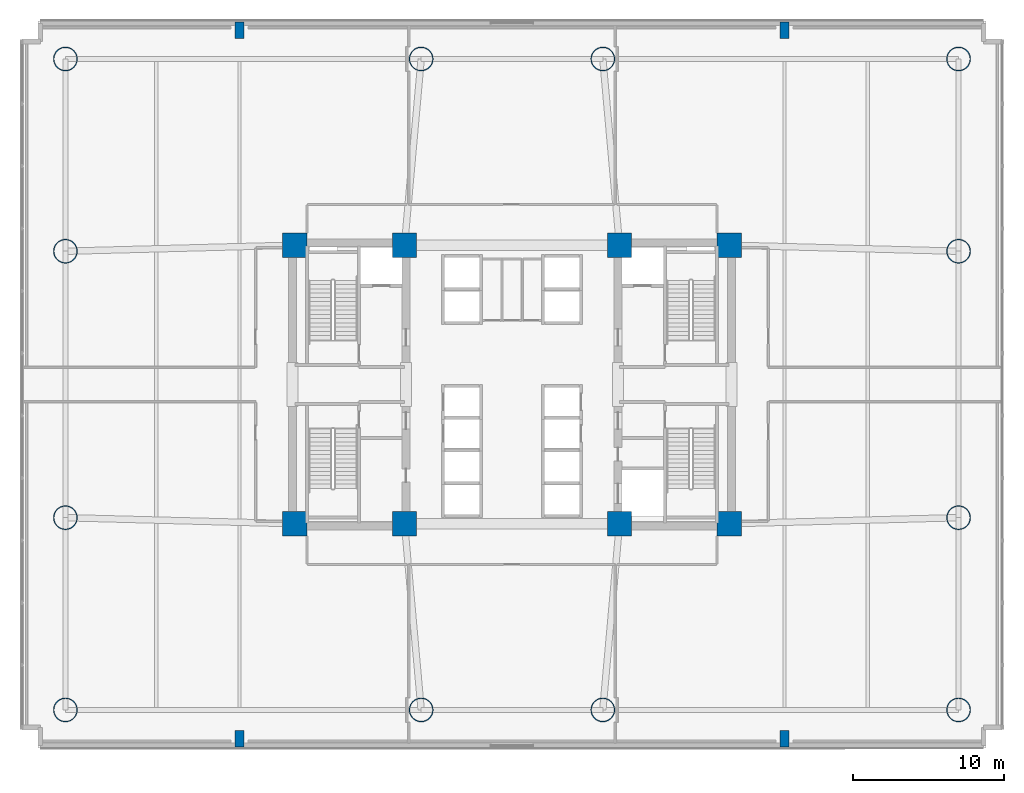
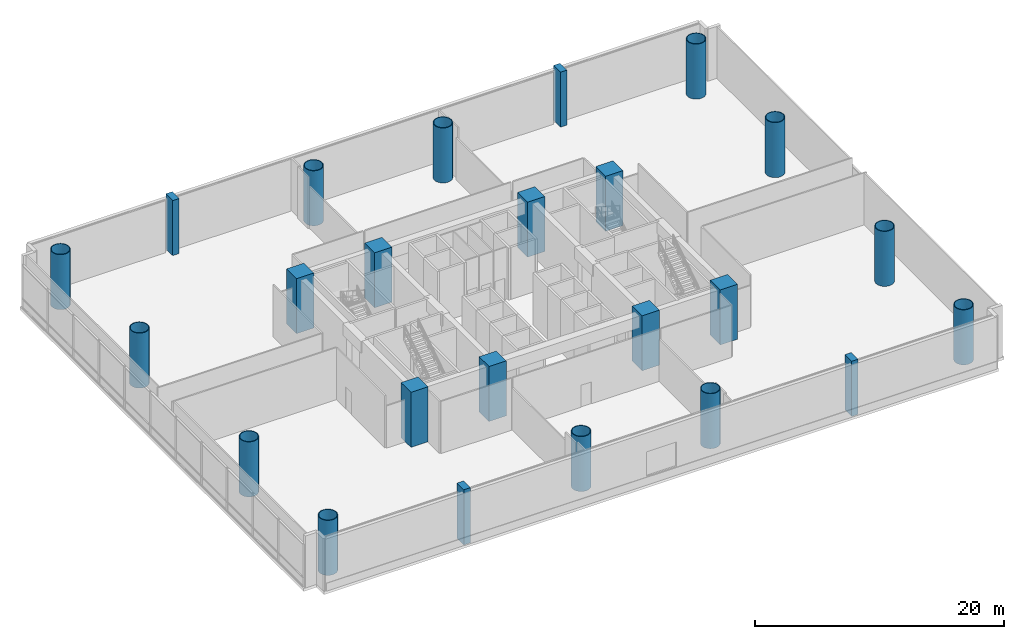
# One storey, part 1 of 15: 24 columns.
"""IFC4 building model written with IfcOpenShell, lengths in metres."""

from ifc_helpers import new_model, si_unit, direction, frame, origin, origin_2d, place, context, subcontext, project, spatial, rectangle, hollow_circle, extrude, source, transform, mapped, material, material_profile, profile_set, type_object, element, save


model = new_model("IFC4")

# Units and contexts
model_context = context("Model", 3, precision=1e-05, world=origin(), true_north=direction((0.0, 1.0)))
body_context = subcontext(model_context, "Body", "Model", "MODEL_VIEW")
ifc_project = project(units=[si_unit("LENGTHUNIT", "METRE"), si_unit("AREAUNIT", "SQUARE_METRE"), si_unit("VOLUMEUNIT", "CUBIC_METRE"), si_unit("PLANEANGLEUNIT", "RADIAN"), si_unit("MASSUNIT", "GRAM", prefix="KILO")], contexts=[model_context])

# Site, building, storey
site_placement = place(None, origin())
site = spatial("IfcSite", under=ifc_project, at=site_placement, CompositionType="ELEMENT")
building_placement = place(site_placement, origin())
building = spatial("IfcBuilding", under=site, at=building_placement, Name="Zahravan Cultural Tower", CompositionType="ELEMENT")
storey_placement = place(building_placement, frame((0.0, 0.0, 7.199951171875)))
storey = spatial("IfcBuildingStorey", under=building, at=storey_placement, Name="L01", CompositionType="ELEMENT", Elevation=7.199951171875)

# Columns
ifc_material_1 = material(Name="Concrete C60/75", Category="concrete")
ifc_material_profile_1 = material_profile(ifc_material_1, rectangle(XDim=1.60009765625, YDim=1.60009765625, at=origin_2d()), Name="RC1600X1600")
ifc_profile_set_1 = profile_set([ifc_material_profile_1], Name="Concrete C60/75")
column_type_1 = type_object("IfcColumnType", Name="COL-RC1600", PredefinedType="COLUMN", material=ifc_profile_set_1)
shared_shape_1 = source(origin(), body_context, "Body", "SweptSolid", [
    extrude(rectangle(XDim=1.60009765625, YDim=1.60009765625, at=origin_2d()), origin(), (0.0, 0.0, 1.0), 5.400146484375),
])
for number, where, z_axis, x_axis, name in (
    (1, (21.64990234375, 17.800048828125, 0.0), (0.0, 0.0, 1.0), (1.0, 0.0, 0.0), "L01 Column CC-W1"),
    (2, (28.89990234375, 17.800048828125, 0.0), (0.0, 0.0, 1.0), (1.0, 0.0, 0.0), "L01 Column CC-W2"),
    (3, (21.64990234375, 36.199951171875, 0.0), (0.0, 0.0, 1.0), (1.0, 0.0, 0.0), "L01 Column CC-W3"),
    (4, (28.89990234375, 36.199951171875, 0.0), (0.0, 0.0, 1.0), (1.0, 0.0, 0.0), "L01 Column CC-W4"),
    (5, (43.10009765625, 17.800048828125, 0.0), (0.0, 0.0, 1.0), (1.0, 0.0, 0.0), "L01 Column CC-E1"),
    (6, (50.35009765625, 17.800048828125, 0.0), (0.0, 0.0, 1.0), (1.0, 0.0, 0.0), "L01 Column CC-E2"),
    (7, (43.10009765625, 36.199951171875, 0.0), (0.0, 0.0, 1.0), (1.0, 0.0, 0.0), "L01 Column CC-E3"),
    (8, (50.35009765625, 36.199951171875, 0.0), (0.0, 0.0, 1.0), (1.0, 0.0, 0.0), "L01 Column CC-E4"),
):
    element("IfcColumn", number, at=place(storey_placement, frame(where, z_axis=z_axis, x_axis=x_axis)), inside=storey, type_object=column_type_1, Name=name, PredefinedType="COLUMN", context=body_context, shape_type="MappedRepresentation", body=[
        mapped(shared_shape_1, transform((0.0, 0.0, 0.0), x_axis=(1.0, 0.0, 0.0), y_axis=(0.0, 1.0, 0.0), z_axis=(0.0, 0.0, 1.0), scale=1.0)),
    ])
ifc_material_2 = material(Name="Steel ASTM A572 Grade 50", Category="steel")
ifc_material_profile_2 = material_profile(ifc_material_2, hollow_circle(Radius=0.800048828125, WallThickness=0.06005859375, at=origin_2d()), Name="CHS1600X60")
ifc_profile_set_2 = profile_set([ifc_material_profile_2], Name="Steel ASTM A572 Grade 50")
column_type_2 = type_object("IfcColumnType", Name="COL-STILT-1600", PredefinedType="COLUMN", material=ifc_profile_set_2)
shared_shape_2 = source(origin(), body_context, "Body", "SweptSolid", [
    extrude(hollow_circle(Radius=0.800048828125, WallThickness=0.06005859375, at=origin_2d()), origin(), (0.0, 0.0, 1.0), 5.400146484375),
])
for number, where, z_axis, x_axis, name in (
    (9, (6.5, 5.5, 0.0), (0.0, 0.0, 1.0), (1.0, 0.0, 0.0), "L01 Column PC-01"),
    (10, (30.0, 5.5, 0.0), (0.0, 0.0, 1.0), (1.0, 0.0, 0.0), "L01 Column PC-02"),
    (11, (42.0, 5.5, 0.0), (0.0, 0.0, 1.0), (1.0, 0.0, 0.0), "L01 Column PC-03"),
    (12, (65.5, 5.5, 0.0), (0.0, 0.0, 1.0), (1.0, 0.0, 0.0), "L01 Column PC-04"),
    (13, (6.5, 18.199951171875, 0.0), (0.0, 0.0, 1.0), (1.0, 0.0, 0.0), "L01 Column PC-05"),
    (14, (65.5, 18.199951171875, 0.0), (0.0, 0.0, 1.0), (1.0, 0.0, 0.0), "L01 Column PC-06"),
    (15, (6.5, 35.800048828125, 0.0), (0.0, 0.0, 1.0), (1.0, 0.0, 0.0), "L01 Column PC-07"),
    (16, (65.5, 35.800048828125, 0.0), (0.0, 0.0, 1.0), (1.0, 0.0, 0.0), "L01 Column PC-08"),
    (17, (6.5, 48.5, 0.0), (0.0, 0.0, 1.0), (1.0, 0.0, 0.0), "L01 Column PC-09"),
    (18, (30.0, 48.5, 0.0), (0.0, 0.0, 1.0), (1.0, 0.0, 0.0), "L01 Column PC-10"),
    (19, (42.0, 48.5, 0.0), (0.0, 0.0, 1.0), (1.0, 0.0, 0.0), "L01 Column PC-11"),
    (20, (65.5, 48.5, 0.0), (0.0, 0.0, 1.0), (1.0, 0.0, 0.0), "L01 Column PC-12"),
):
    element("IfcColumn", number, at=place(storey_placement, frame(where, z_axis=z_axis, x_axis=x_axis)), inside=storey, type_object=column_type_2, Name=name, PredefinedType="COLUMN", context=body_context, shape_type="MappedRepresentation", body=[
        mapped(shared_shape_2, transform((0.0, 0.0, 0.0), x_axis=(1.0, 0.0, 0.0), y_axis=(0.0, 1.0, 0.0), z_axis=(0.0, 0.0, 1.0), scale=1.0)),
    ])
ifc_material_3 = material(Name="Concrete C50/60", Category="concrete")
ifc_material_profile_3 = material_profile(ifc_material_3, rectangle(XDim=0.60009765625, YDim=1.10009765625, at=origin_2d()), Name="RC600X1100")
ifc_profile_set_3 = profile_set([ifc_material_profile_3], Name="Concrete C50/60")
column_type_3 = type_object("IfcColumnType", Name="PIL-RC600X1100", PredefinedType="PILASTER", material=ifc_profile_set_3)
shared_shape_3 = source(origin(), body_context, "Body", "SweptSolid", [
    extrude(rectangle(XDim=0.60009765625, YDim=1.10009765625, at=origin_2d()), origin(), (0.0, 0.0, 1.0), 5.400146484375),
])
for number, where, z_axis, x_axis, name in (
    (21, (18.0, 3.60009765625, 0.0), (0.0, 0.0, 1.0), (1.0, 0.0, 0.0), "L01 Engaged Pilaster S1"),
    (22, (54.0, 3.60009765625, 0.0), (0.0, 0.0, 1.0), (1.0, 0.0, 0.0), "L01 Engaged Pilaster S2"),
    (23, (18.0, 50.39990234375, 0.0), (0.0, 0.0, 1.0), (1.0, 0.0, 0.0), "L01 Engaged Pilaster N1"),
    (24, (54.0, 50.39990234375, 0.0), (0.0, 0.0, 1.0), (1.0, 0.0, 0.0), "L01 Engaged Pilaster N2"),
):
    element("IfcColumn", number, at=place(storey_placement, frame(where, z_axis=z_axis, x_axis=x_axis)), inside=storey, type_object=column_type_3, Name=name, PredefinedType="PILASTER", context=body_context, shape_type="MappedRepresentation", body=[
        mapped(shared_shape_3, transform((0.0, 0.0, 0.0), x_axis=(1.0, 0.0, 0.0), y_axis=(0.0, 1.0, 0.0), z_axis=(0.0, 0.0, 1.0), scale=1.0)),
    ])

save(model, "model.ifc")
